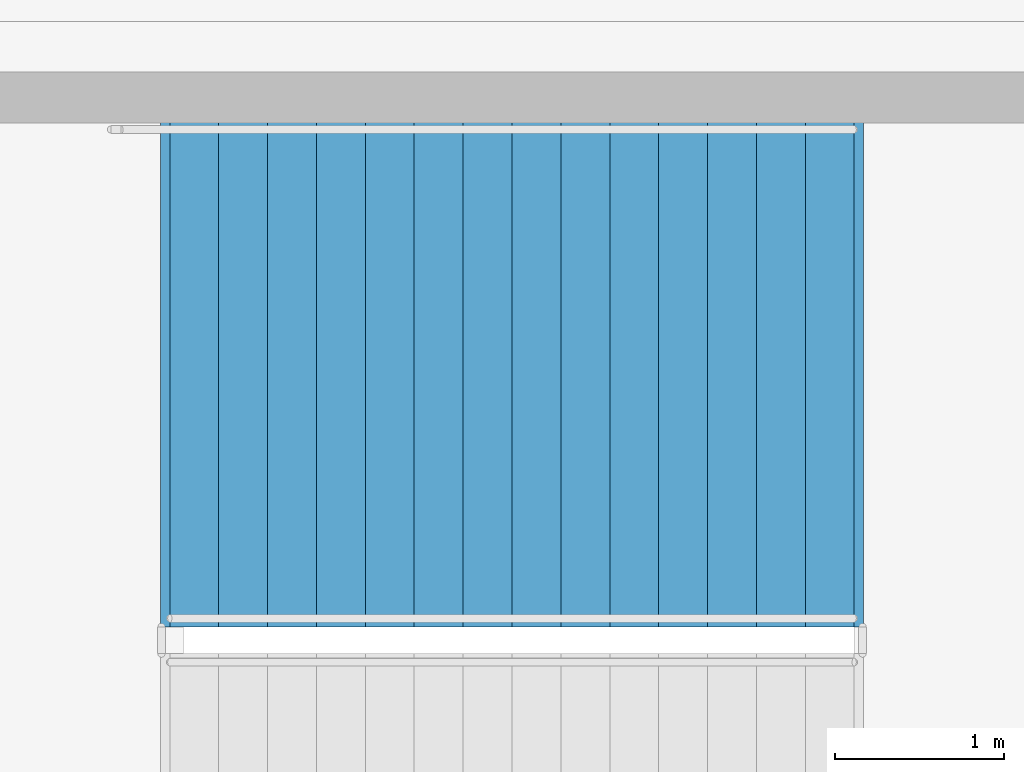
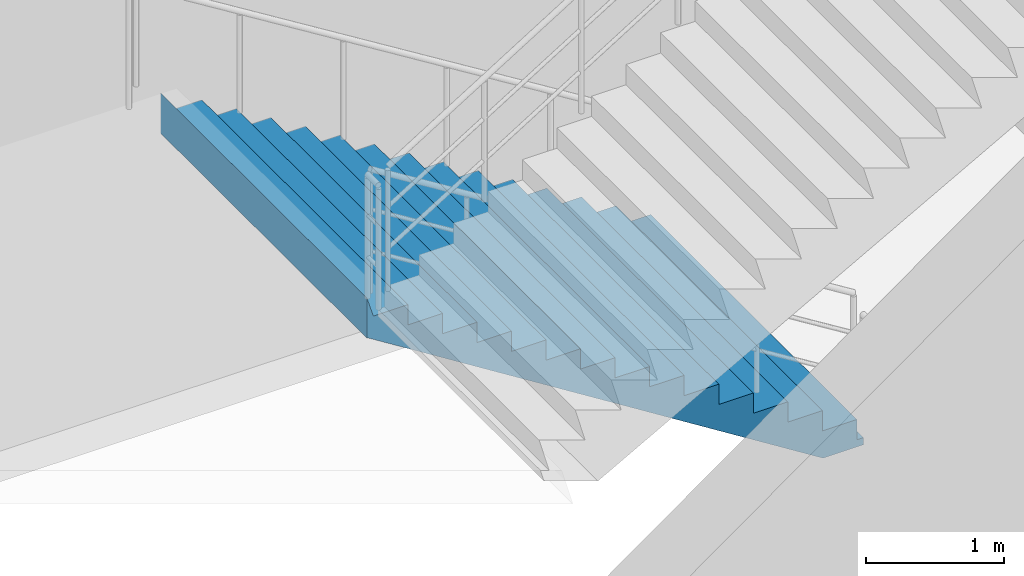
# One storey, part 79 of 93: 1 stair flight, 1 element without a shape of its own.
"""IFC4 building model written with IfcOpenShell, lengths in metres."""

from ifc_helpers import new_model, si_unit, direction, frame, origin, place, context, subcontext, project, spatial, polyline, outline, extrude, material, type_object, element, aggregate, save


model = new_model("IFC4")

# Units and contexts
model_context = context("Model", 3, precision=1e-05, world=origin(), true_north=direction((0.0, 1.0)))
body_context = subcontext(model_context, "Body", "Model", "MODEL_VIEW")
ifc_project = project(units=[si_unit("LENGTHUNIT", "METRE"), si_unit("AREAUNIT", "SQUARE_METRE"), si_unit("VOLUMEUNIT", "CUBIC_METRE"), si_unit("PLANEANGLEUNIT", "RADIAN"), si_unit("MASSUNIT", "GRAM", prefix="KILO")], contexts=[model_context])

# Site, building, storey
site_placement = place(None, origin())
site = spatial("IfcSite", under=ifc_project, at=site_placement, CompositionType="ELEMENT")
building_placement = place(site_placement, origin())
building = spatial("IfcBuilding", under=site, at=building_placement, Name="Cinderbank Siding Concert Hall", CompositionType="ELEMENT")
storey_placement = place(building_placement, origin())
storey = spatial("IfcBuildingStorey", under=building, at=storey_placement, Name="L01", CompositionType="ELEMENT", Elevation=0.0)

# Stair, stair flight
ifc_material = material(Name="Reinforced concrete AS 3600 N50 (50 MPa)", Category="concrete")
stair_type = type_object("IfcStairType", Name="STR-I Dogleg Exit Stair 3000mm", PredefinedType="HALF_TURN_STAIR", material=ifc_material)
stair_placement = place(storey_placement, origin())
stair = element("IfcStair", 1, at=stair_placement, inside=storey, type_object=stair_type, Name="L01 East Link Exit Stair ST-11", PredefinedType="HALF_TURN_STAIR")
stair_flight_type = type_object("IfcStairFlightType", Name="SFL-I Concrete Stair Flight 3000mm", PredefinedType="STRAIGHT", material=ifc_material)
stair_flight_placement = place(storey_placement, frame((159.699951171875, 86.2099609375, 0.0), z_axis=(0.0, 0.0, 1.0), x_axis=(-1.0, 0.0, 0.0)))
stair_flight = element("IfcStairFlight", 2, at=stair_flight_placement, type_object=stair_flight_type, Name="ST-11 flight 1", NumberOfRisers=15, NumberOfTreads=14, PredefinedType="STRAIGHT", RiserHeight=0.18, TreadLength=0.29, context=body_context, shape_type="SweptSolid", body=[
    extrude(outline(polyline([(0.0, 0.0), (0.0, 0.179931640625), (0.2900390625, 0.179931640625), (0.2900390625, 0.360107421875), (0.580078125, 0.360107421875), (0.580078125, 0.5400390625), (0.8701171875, 0.5400390625), (0.8701171875, 0.719970703125), (1.159912109375, 0.719970703125), (1.159912109375, 0.89990234375), (1.449951171875, 0.89990234375), (1.449951171875, 1.080078125), (1.739990234375, 1.080078125), (1.739990234375, 1.260009765625), (2.030029296875, 1.260009765625), (2.030029296875, 1.43994140625), (2.320068359375, 1.43994140625), (2.320068359375, 1.6201171875), (2.610107421875, 1.6201171875), (2.610107421875, 1.800048828125), (2.89990234375, 1.800048828125), (2.89990234375, 1.97998046875), (3.18994140625, 1.97998046875), (3.18994140625, 2.159912109375), (3.47998046875, 2.159912109375), (3.47998046875, 2.340087890625), (3.77001953125, 2.340087890625), (3.77001953125, 2.52001953125), (4.06005859375, 2.52001953125), (4.114990234375, 2.699951171875), (4.114990234375, 2.343505859375), (4.11474609375, 2.34375), (4.11474609375, 2.343994140625), (4.11474609375, 2.34423828125), (4.11474609375, 2.344482421875), (4.11474609375, 2.3447265625), (4.11474609375, 2.344970703125), (4.11474609375, 2.34521484375), (4.11474609375, 2.345458984375), (4.11474609375, 2.345703125), (4.11474609375, 2.345947265625), (4.11474609375, 2.34619140625), (4.11474609375, 2.346435546875), (4.114501953125, 2.346435546875), (4.114501953125, 2.34619140625), (4.114501953125, 2.345947265625), (4.114501953125, 2.345703125), (4.114501953125, 2.345458984375), (4.114501953125, 2.34521484375), (4.114501953125, 2.344970703125), (4.114501953125, 2.3447265625), (4.114501953125, 2.344482421875), (4.114501953125, 2.34423828125), (4.114501953125, 2.343994140625), (4.114501953125, 2.34375), (4.114501953125, 2.343505859375), (4.1142578125, 2.34375), (4.1142578125, 2.343994140625), (4.1142578125, 2.34423828125), (4.1142578125, 2.344482421875), (4.1142578125, 2.3447265625), (4.1142578125, 2.344970703125), (4.1142578125, 2.34521484375), (4.1142578125, 2.345458984375), (4.1142578125, 2.345703125), (4.1142578125, 2.345947265625), (4.1142578125, 2.34619140625), (4.1142578125, 2.346435546875), (4.114013671875, 2.346435546875), (4.114013671875, 2.34619140625), (4.114013671875, 2.345947265625), (4.114013671875, 2.345703125), (4.114013671875, 2.345458984375), (4.114013671875, 2.34521484375), (4.114013671875, 2.344970703125), (4.114013671875, 2.3447265625), (4.114013671875, 2.344482421875), (4.114013671875, 2.34423828125), (4.114013671875, 2.343994140625), (4.114013671875, 2.34375), (4.114013671875, 2.343505859375), (4.11376953125, 2.34375), (4.11376953125, 2.343994140625), (4.11376953125, 2.34423828125), (4.11376953125, 2.344482421875), (4.11376953125, 2.3447265625), (4.11376953125, 2.344970703125), (4.11376953125, 2.34521484375), (4.11376953125, 2.345458984375), (4.11376953125, 2.345703125), (4.11376953125, 2.345947265625), (4.11376953125, 2.34619140625), (4.11376953125, 2.346435546875), (4.113525390625, 2.346435546875), (4.113525390625, 2.34619140625), (4.113525390625, 2.345947265625), (4.113525390625, 2.345703125), (4.113525390625, 2.345458984375), (4.113525390625, 2.34521484375), (4.113525390625, 2.344970703125), (4.113525390625, 2.3447265625), (4.113525390625, 2.344482421875), (4.113525390625, 2.34423828125), (4.113525390625, 2.343994140625), (4.113525390625, 2.34375), (4.113525390625, 2.343505859375), (4.11328125, 2.34375), (4.11328125, 2.343994140625), (4.11328125, 2.34423828125), (4.11328125, 2.344482421875), (4.11328125, 2.3447265625), (4.11328125, 2.344970703125), (4.11328125, 2.34521484375), (4.11328125, 2.345458984375), (4.11328125, 2.345703125), (4.11328125, 2.345947265625), (4.11328125, 2.34619140625), (4.11328125, 2.346435546875), (4.113037109375, 2.346435546875), (4.113037109375, 2.34619140625), (4.113037109375, 2.345947265625), (4.113037109375, 2.345703125), (4.113037109375, 2.345458984375), (4.113037109375, 2.34521484375), (4.113037109375, 2.344970703125), (4.113037109375, 2.3447265625), (4.113037109375, 2.344482421875), (4.113037109375, 2.34423828125), (4.113037109375, 2.343994140625), (4.113037109375, 2.34375), (4.113037109375, 2.343505859375), (4.11279296875, 2.34375), (4.11279296875, 2.343994140625), (4.11279296875, 2.34423828125), (4.11279296875, 2.344482421875), (4.11279296875, 2.3447265625), (4.11279296875, 2.344970703125), (4.11279296875, 2.34521484375), (4.11279296875, 2.345458984375), (4.11279296875, 2.345703125), (4.11279296875, 2.345947265625), (4.11279296875, 2.34619140625), (4.11279296875, 2.346435546875), (4.112548828125, 2.346435546875), (4.112548828125, 2.34619140625), (4.112548828125, 2.345947265625), (4.112548828125, 2.345703125), (4.112548828125, 2.345458984375), (4.112548828125, 2.34521484375), (4.112548828125, 2.344970703125), (4.112548828125, 2.3447265625), (4.112548828125, 2.344482421875), (4.112548828125, 2.34423828125), (4.112548828125, 2.343994140625), (4.112548828125, 2.34375), (4.112548828125, 2.343505859375), (4.1123046875, 2.34375), (4.1123046875, 2.343994140625), (4.1123046875, 2.34423828125), (4.1123046875, 2.344482421875), (4.1123046875, 2.3447265625), (4.1123046875, 2.344970703125), (4.1123046875, 2.34521484375), (4.1123046875, 2.345458984375), (4.1123046875, 2.345703125), (4.1123046875, 2.345947265625), (4.1123046875, 2.34619140625), (4.1123046875, 2.346435546875), (4.112060546875, 2.346435546875), (4.112060546875, 2.34619140625), (4.112060546875, 2.345947265625), (4.112060546875, 2.345703125), (4.112060546875, 2.345458984375), (4.112060546875, 2.34521484375), (4.112060546875, 2.344970703125), (4.112060546875, 2.3447265625), (4.112060546875, 2.344482421875), (4.112060546875, 2.34423828125), (4.112060546875, 2.343994140625), (4.112060546875, 2.34375), (4.112060546875, 2.343505859375), (4.11181640625, 2.34375), (4.11181640625, 2.343994140625), (4.11181640625, 2.34423828125), (4.11181640625, 2.344482421875), (4.11181640625, 2.3447265625), (4.11181640625, 2.344970703125), (4.11181640625, 2.34521484375), (4.11181640625, 2.345458984375), (4.11181640625, 2.345703125), (4.11181640625, 2.345947265625), (4.11181640625, 2.34619140625), (4.11181640625, 2.346435546875), (4.111572265625, 2.346435546875), (4.111572265625, 2.34619140625), (4.111572265625, 2.345947265625), (4.111572265625, 2.345703125), (4.111572265625, 2.345458984375), (4.111572265625, 2.34521484375), (4.111572265625, 2.344970703125), (4.111572265625, 2.3447265625), (4.111572265625, 2.344482421875), (4.111572265625, 2.34423828125), (4.111572265625, 2.343994140625), (4.111572265625, 2.34375), (4.111572265625, 2.343505859375), (4.111328125, 2.34375), (4.111328125, 2.343994140625), (4.111328125, 2.34423828125), (4.111328125, 2.344482421875), (4.111328125, 2.3447265625), (4.111328125, 2.344970703125), (4.111328125, 2.34521484375), (4.111328125, 2.345458984375), (4.111328125, 2.345703125), (4.111328125, 2.345947265625), (4.111328125, 2.34619140625), (4.111328125, 2.346435546875), (4.111083984375, 2.346435546875), (4.111083984375, 2.34619140625), (4.111083984375, 2.345947265625), (4.111083984375, 2.345703125), (4.111083984375, 2.345458984375), (4.111083984375, 2.34521484375), (4.111083984375, 2.344970703125), (4.111083984375, 2.3447265625), (4.111083984375, 2.344482421875), (4.111083984375, 2.34423828125), (4.111083984375, 2.343994140625), (4.111083984375, 2.34375), (4.111083984375, 2.343505859375), (4.11083984375, 2.34375), (4.11083984375, 2.343994140625), (4.11083984375, 2.34423828125), (4.11083984375, 2.344482421875), (4.11083984375, 2.3447265625), (4.11083984375, 2.344970703125), (4.11083984375, 2.34521484375), (4.11083984375, 2.345458984375), (4.11083984375, 2.345703125), (4.11083984375, 2.345947265625), (4.11083984375, 2.34619140625), (4.11083984375, 2.346435546875), (4.110595703125, 2.346435546875), (4.110595703125, 2.34619140625), (4.110595703125, 2.345947265625), (4.110595703125, 2.345703125), (4.110595703125, 2.345458984375), (4.110595703125, 2.34521484375), (4.110595703125, 2.344970703125), (4.110595703125, 2.3447265625), (4.110595703125, 2.344482421875), (4.110595703125, 2.34423828125), (4.110595703125, 2.343994140625), (4.110595703125, 2.34375), (4.110595703125, 2.343505859375), (4.1103515625, 2.34375), (4.1103515625, 2.343994140625), (4.1103515625, 2.34423828125), (4.1103515625, 2.344482421875), (4.1103515625, 2.3447265625), (4.1103515625, 2.344970703125), (4.1103515625, 2.34521484375), (4.1103515625, 2.345458984375), (4.1103515625, 2.345703125), (4.1103515625, 2.345947265625), (4.1103515625, 2.34619140625), (4.1103515625, 2.346435546875), (4.110107421875, 2.346435546875), (4.110107421875, 2.34619140625), (4.110107421875, 2.345947265625), (4.110107421875, 2.345703125), (4.110107421875, 2.345458984375), (4.110107421875, 2.34521484375), (4.110107421875, 2.344970703125), (4.110107421875, 2.3447265625), (4.110107421875, 2.344482421875), (4.110107421875, 2.34423828125), (4.110107421875, 2.343994140625), (4.110107421875, 2.34375), (4.110107421875, 2.343505859375), (4.10986328125, 2.34375), (4.10986328125, 2.343994140625), (4.10986328125, 2.34423828125), (4.10986328125, 2.344482421875), (4.10986328125, 2.3447265625), (4.10986328125, 2.344970703125), (4.10986328125, 2.34521484375), (4.10986328125, 2.345458984375), (4.10986328125, 2.345703125), (4.10986328125, 2.345947265625), (4.10986328125, 2.34619140625), (4.10986328125, 2.346435546875), (4.109619140625, 2.346435546875), (4.109619140625, 2.34619140625), (4.109619140625, 2.345947265625), (4.109619140625, 2.345703125), (4.109619140625, 2.345458984375), (4.109619140625, 2.34521484375), (4.109619140625, 2.344970703125), (4.109619140625, 2.3447265625), (4.109619140625, 2.344482421875), (4.109619140625, 2.34423828125), (4.109619140625, 2.343994140625), (4.109619140625, 2.34375), (4.109619140625, 2.343505859375), (4.109375, 2.34375), (4.109375, 2.343994140625), (4.109375, 2.34423828125), (4.109375, 2.344482421875), (4.109375, 2.3447265625), (4.109375, 2.344970703125), (4.109375, 2.34521484375), (4.109375, 2.345458984375), (4.109375, 2.345703125), (4.109375, 2.345947265625), (4.109375, 2.34619140625), (4.109375, 2.346435546875), (4.109130859375, 2.346435546875), (4.109130859375, 2.34619140625), (4.109130859375, 2.345947265625), (4.109130859375, 2.345703125), (4.109130859375, 2.345458984375), (4.109130859375, 2.34521484375), (4.109130859375, 2.344970703125), (4.109130859375, 2.3447265625), (4.109130859375, 2.344482421875), (4.109130859375, 2.34423828125), (4.109130859375, 2.343994140625), (4.109130859375, 2.34375), (4.109130859375, 2.343505859375), (4.10888671875, 2.34375), (4.10888671875, 2.343994140625), (4.10888671875, 2.34423828125), (4.10888671875, 2.344482421875), (4.10888671875, 2.3447265625), (4.10888671875, 2.344970703125), (4.10888671875, 2.34521484375), (4.10888671875, 2.345458984375), (4.10888671875, 2.345703125), (4.10888671875, 2.345947265625), (4.10888671875, 2.34619140625), (4.10888671875, 2.346435546875), (4.108642578125, 2.346435546875), (4.108642578125, 2.34619140625), (4.108642578125, 2.345947265625), (4.108642578125, 2.345703125), (4.108642578125, 2.345458984375), (4.108642578125, 2.34521484375), (4.108642578125, 2.344970703125), (4.108642578125, 2.3447265625), (4.108642578125, 2.344482421875), (4.108642578125, 2.34423828125), (4.108642578125, 2.343994140625), (4.108642578125, 2.34375), (4.108642578125, 2.343505859375), (0.2841796875, -0.06396484375), (-0.048583984375, -0.063720703125), (-0.048583984375, -0.0634765625), (-0.048583984375, -0.063232421875), (-0.048583984375, -0.06298828125), (-0.048583984375, -0.062744140625), (-0.048583984375, -0.0625), (-0.048583984375, -0.062255859375), (-0.048583984375, -0.06201171875), (-0.048583984375, -0.061767578125), (-0.048583984375, -0.0615234375), (-0.048583984375, -0.061279296875), (-0.048583984375, -0.06103515625), (-0.048828125, -0.06103515625), (-0.048828125, -0.061279296875), (-0.048828125, -0.0615234375), (-0.048828125, -0.061767578125), (-0.048828125, -0.06201171875), (-0.048828125, -0.062255859375), (-0.048828125, -0.0625), (-0.048828125, -0.062744140625), (-0.048828125, -0.06298828125), (-0.048828125, -0.063232421875), (-0.048828125, -0.0634765625), (-0.048828125, -0.063720703125), (-0.048828125, -0.06396484375), (-0.049072265625, -0.063720703125), (-0.049072265625, -0.0634765625), (-0.049072265625, -0.063232421875), (-0.049072265625, -0.06298828125), (-0.049072265625, -0.062744140625), (-0.049072265625, -0.0625), (-0.049072265625, -0.062255859375), (-0.049072265625, -0.06201171875), (-0.049072265625, -0.061767578125), (-0.049072265625, -0.0615234375), (-0.049072265625, -0.061279296875), (-0.049072265625, -0.06103515625), (-0.04931640625, -0.06103515625), (-0.04931640625, -0.061279296875), (-0.04931640625, -0.0615234375), (-0.04931640625, -0.061767578125), (-0.04931640625, -0.06201171875), (-0.04931640625, -0.062255859375), (-0.04931640625, -0.0625), (-0.04931640625, -0.062744140625), (-0.04931640625, -0.06298828125), (-0.04931640625, -0.063232421875), (-0.04931640625, -0.0634765625), (-0.04931640625, -0.063720703125), (-0.04931640625, -0.06396484375), (-0.049560546875, -0.063720703125), (-0.049560546875, -0.0634765625), (-0.049560546875, -0.063232421875), (-0.049560546875, -0.06298828125), (-0.049560546875, -0.062744140625), (-0.049560546875, -0.0625), (-0.049560546875, -0.062255859375), (-0.049560546875, -0.06201171875), (-0.049560546875, -0.061767578125), (-0.049560546875, -0.0615234375), (-0.049560546875, -0.061279296875), (-0.049560546875, -0.06103515625), (-0.0498046875, -0.06103515625), (-0.0498046875, -0.061279296875), (-0.0498046875, -0.0615234375), (-0.0498046875, -0.061767578125), (-0.0498046875, -0.06201171875), (-0.0498046875, -0.062255859375), (-0.0498046875, -0.0625), (-0.0498046875, -0.062744140625), (-0.0498046875, -0.06298828125), (-0.0498046875, -0.063232421875), (-0.0498046875, -0.0634765625), (-0.0498046875, -0.063720703125), (-0.0498046875, -0.06396484375), (-0.050048828125, -0.063720703125), (-0.050048828125, -0.0634765625), (-0.050048828125, -0.063232421875), (-0.050048828125, -0.06298828125), (-0.050048828125, -0.062744140625), (-0.050048828125, -0.0625), (-0.050048828125, -0.062255859375), (-0.050048828125, -0.06201171875), (-0.050048828125, -0.061767578125), (-0.050048828125, -0.0615234375), (-0.050048828125, -0.061279296875), (-0.050048828125, -0.06103515625), (-0.05029296875, -0.06103515625), (-0.05029296875, -0.061279296875), (-0.05029296875, -0.0615234375), (-0.05029296875, -0.061767578125), (-0.05029296875, -0.06201171875), (-0.05029296875, -0.062255859375), (-0.05029296875, -0.0625), (-0.05029296875, -0.062744140625), (-0.05029296875, -0.06298828125), (-0.05029296875, -0.063232421875), (-0.05029296875, -0.0634765625), (-0.05029296875, -0.063720703125), (-0.05029296875, -0.06396484375), (-0.050537109375, -0.063720703125), (-0.050537109375, -0.0634765625), (-0.050537109375, -0.063232421875), (-0.050537109375, -0.06298828125), (-0.050537109375, -0.062744140625), (-0.050537109375, -0.0625), (-0.050537109375, -0.062255859375), (-0.050537109375, -0.06201171875), (-0.050537109375, -0.061767578125), (-0.050537109375, -0.0615234375), (-0.050537109375, -0.061279296875), (-0.050537109375, -0.06103515625), (-0.05078125, -0.06103515625), (-0.05078125, -0.061279296875), (-0.05078125, -0.0615234375), (-0.05078125, -0.061767578125), (-0.05078125, -0.06201171875), (-0.05078125, -0.062255859375), (-0.05078125, -0.0625), (-0.05078125, -0.062744140625), (-0.05078125, -0.06298828125), (-0.05078125, -0.063232421875), (-0.05078125, -0.0634765625), (-0.05078125, -0.063720703125), (-0.05078125, -0.06396484375), (-0.051025390625, -0.063720703125), (-0.051025390625, -0.0634765625), (-0.051025390625, -0.063232421875), (-0.051025390625, -0.06298828125), (-0.051025390625, -0.062744140625), (-0.051025390625, -0.0625), (-0.051025390625, -0.062255859375), (-0.051025390625, -0.06201171875), (-0.051025390625, -0.061767578125), (-0.051025390625, -0.0615234375), (-0.051025390625, -0.061279296875), (-0.051025390625, -0.06103515625), (-0.05126953125, -0.06103515625), (-0.05126953125, -0.061279296875), (-0.05126953125, -0.0615234375), (-0.05126953125, -0.061767578125), (-0.05126953125, -0.06201171875), (-0.05126953125, -0.062255859375), (-0.05126953125, -0.0625), (-0.05126953125, -0.062744140625), (-0.05126953125, -0.06298828125), (-0.05126953125, -0.063232421875), (-0.05126953125, -0.0634765625), (-0.05126953125, -0.063720703125), (-0.05126953125, -0.06396484375), (-0.051513671875, -0.063720703125), (-0.051513671875, -0.0634765625), (-0.051513671875, -0.063232421875), (-0.051513671875, -0.06298828125), (-0.051513671875, -0.062744140625), (-0.051513671875, -0.0625), (-0.051513671875, -0.062255859375), (-0.051513671875, -0.06201171875), (-0.051513671875, -0.061767578125), (-0.051513671875, -0.0615234375), (-0.051513671875, -0.061279296875), (-0.051513671875, -0.06103515625), (-0.0517578125, -0.06103515625), (-0.0517578125, -0.061279296875), (-0.0517578125, -0.0615234375), (-0.0517578125, -0.061767578125), (-0.0517578125, -0.06201171875), (-0.0517578125, -0.062255859375), (-0.0517578125, -0.0625), (-0.0517578125, -0.062744140625), (-0.0517578125, -0.06298828125), (-0.0517578125, -0.063232421875), (-0.0517578125, -0.0634765625), (-0.0517578125, -0.063720703125), (-0.0517578125, -0.06396484375), (-0.052001953125, -0.063720703125), (-0.052001953125, -0.0634765625), (-0.052001953125, -0.063232421875), (-0.052001953125, -0.06298828125), (-0.052001953125, -0.062744140625), (-0.052001953125, -0.0625), (-0.052001953125, -0.062255859375), (-0.052001953125, -0.06201171875), (-0.052001953125, -0.061767578125), (-0.052001953125, -0.0615234375), (-0.052001953125, -0.061279296875), (-0.052001953125, -0.06103515625), (-0.05224609375, -0.06103515625), (-0.05224609375, -0.061279296875), (-0.05224609375, -0.0615234375), (-0.05224609375, -0.061767578125), (-0.05224609375, -0.06201171875), (-0.05224609375, -0.062255859375), (-0.05224609375, -0.0625), (-0.05224609375, -0.062744140625), (-0.05224609375, -0.06298828125), (-0.05224609375, -0.063232421875), (-0.05224609375, -0.0634765625), (-0.05224609375, -0.063720703125), (-0.05224609375, -0.06396484375), (-0.052490234375, -0.063720703125), (-0.052490234375, -0.0634765625), (-0.052490234375, -0.063232421875), (-0.052490234375, -0.06298828125), (-0.052490234375, -0.062744140625), (-0.052490234375, -0.0625), (-0.052490234375, -0.062255859375), (-0.052490234375, -0.06201171875), (-0.052490234375, -0.061767578125), (-0.052490234375, -0.0615234375), (-0.052490234375, -0.061279296875), (-0.052490234375, -0.06103515625), (-0.052734375, -0.06103515625), (-0.052734375, -0.061279296875), (-0.052734375, -0.0615234375), (-0.052734375, -0.061767578125), (-0.052734375, -0.06201171875), (-0.052734375, -0.062255859375), (-0.052734375, -0.0625), (-0.052734375, -0.062744140625), (-0.052734375, -0.06298828125), (-0.052734375, -0.063232421875), (-0.052734375, -0.0634765625), (-0.052734375, -0.063720703125), (-0.052734375, -0.06396484375), (-0.052978515625, -0.063720703125), (-0.052978515625, -0.0634765625), (-0.052978515625, -0.063232421875), (-0.052978515625, -0.06298828125), (-0.052978515625, -0.062744140625), (-0.052978515625, -0.0625), (-0.052978515625, -0.062255859375), (-0.052978515625, -0.06201171875), (-0.052978515625, -0.061767578125), (-0.052978515625, -0.0615234375), (-0.052978515625, -0.061279296875), (-0.052978515625, -0.06103515625), (-0.05322265625, -0.06103515625), (-0.05322265625, -0.061279296875), (-0.05322265625, -0.0615234375), (-0.05322265625, -0.061767578125), (-0.05322265625, -0.06201171875), (-0.05322265625, -0.062255859375), (-0.05322265625, -0.0625), (-0.05322265625, -0.062744140625), (-0.05322265625, -0.06298828125), (-0.05322265625, -0.063232421875), (-0.05322265625, -0.0634765625), (-0.05322265625, -0.063720703125), (-0.05322265625, -0.06396484375), (-0.053466796875, -0.063720703125), (-0.053466796875, -0.0634765625), (-0.053466796875, -0.063232421875), (-0.053466796875, -0.06298828125), (-0.053466796875, -0.062744140625), (-0.053466796875, -0.0625), (-0.053466796875, -0.062255859375), (-0.053466796875, -0.06201171875), (-0.053466796875, -0.061767578125), (-0.053466796875, -0.0615234375), (-0.053466796875, -0.061279296875), (-0.053466796875, -0.06103515625), (-0.0537109375, -0.06103515625), (-0.0537109375, -0.061279296875), (-0.0537109375, -0.0615234375), (-0.0537109375, -0.061767578125), (-0.0537109375, -0.06201171875), (-0.0537109375, -0.062255859375), (-0.0537109375, -0.0625), (-0.0537109375, -0.062744140625), (-0.0537109375, -0.06298828125), (-0.0537109375, -0.063232421875), (-0.0537109375, -0.0634765625), (-0.0537109375, -0.063720703125), (-0.0537109375, -0.06396484375), (-0.053955078125, -0.063720703125), (-0.053955078125, -0.0634765625), (-0.053955078125, -0.063232421875), (-0.053955078125, -0.06298828125), (-0.053955078125, -0.062744140625), (-0.053955078125, -0.0625), (-0.053955078125, -0.062255859375), (-0.053955078125, -0.06201171875), (-0.053955078125, -0.061767578125), (-0.053955078125, -0.0615234375), (-0.053955078125, -0.061279296875), (-0.053955078125, -0.06103515625), (-0.05419921875, -0.06103515625), (-0.05419921875, -0.061279296875), (-0.05419921875, -0.0615234375), (-0.05419921875, -0.061767578125), (-0.05419921875, -0.06201171875), (-0.05419921875, -0.062255859375), (-0.05419921875, -0.0625), (-0.05419921875, -0.062744140625), (-0.05419921875, -0.06298828125), (-0.05419921875, -0.063232421875), (-0.05419921875, -0.0634765625), (-0.05419921875, -0.063720703125), (-0.05419921875, -0.06396484375), (-0.054443359375, -0.063720703125), (-0.054443359375, -0.0634765625), (-0.054443359375, -0.063232421875), (-0.054443359375, -0.06298828125), (-0.054443359375, -0.062744140625), (-0.054443359375, -0.0625), (-0.054443359375, -0.062255859375), (-0.054443359375, -0.06201171875), (-0.054443359375, -0.061767578125), (-0.054443359375, -0.0615234375), (-0.054443359375, -0.061279296875), (-0.054443359375, -0.06103515625), (-0.0546875, -0.06103515625), (-0.0546875, -0.061279296875), (-0.0546875, -0.0615234375), (-0.0546875, -0.061767578125), (-0.0546875, -0.06201171875), (-0.0546875, -0.062255859375), (-0.0546875, -0.0625), (-0.0546875, -0.062744140625), (-0.0546875, -0.06298828125), (-0.0546875, -0.063232421875), (-0.0546875, -0.0634765625), (-0.0546875, -0.063720703125), (-0.0546875, -0.06396484375), (-0.054931640625, -0.06396484375), (-0.054931640625, 0.0), (0.0, 0.0)])), frame((0.0, 1.5, 0.0), z_axis=(0.0, -1.0, 0.0), x_axis=(1.0, 0.0, 0.0)), (0.0, 0.0, 1.0), 3.0),
])
aggregate(stair, [stair_flight])

save(model, "model.ifc")
